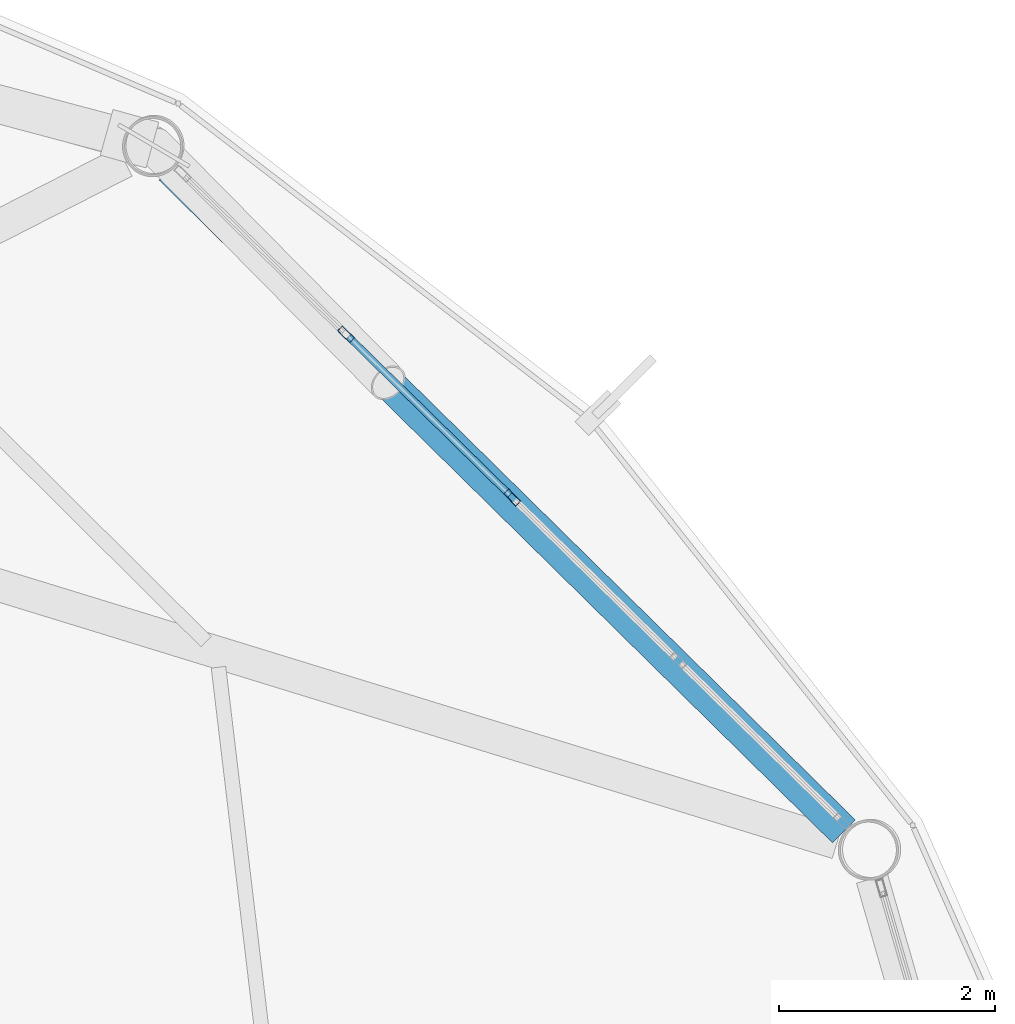
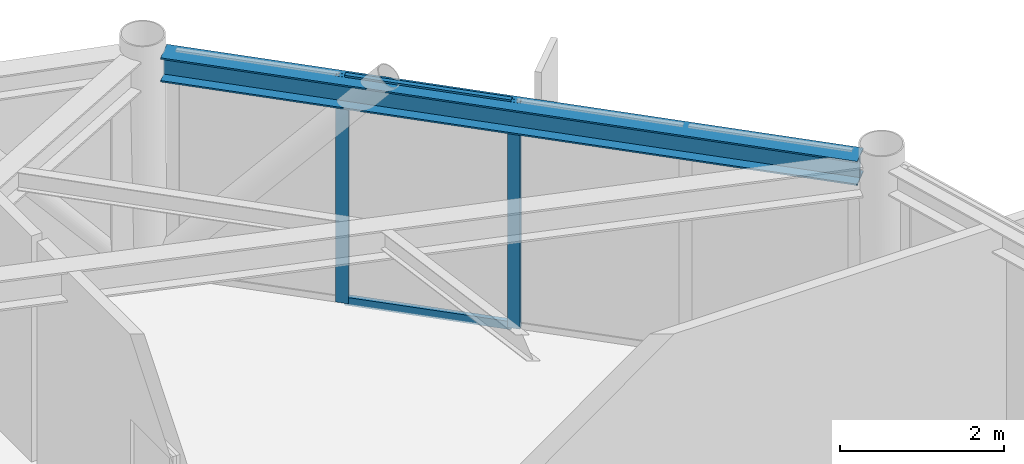
# One storey, part 14 of 25: 4 members, 1 beam, 1 element without a shape of its own.
"""IFC4 building model written with IfcOpenShell, lengths in metres."""

from ifc_helpers import new_model, si_unit, direction, frame, origin, origin_2d, place, context, subcontext, project, spatial, hollow_rectangle, i_section, extrude, material, layer, layer_set, material_profile, profile_set, type_object, element, aggregate, save


model = new_model("IFC4")

# Units and contexts
model_context = context("Model", 3, precision=1e-05, world=origin(), true_north=direction((0.0, 1.0)))
body_context = subcontext(model_context, "Body", "Model", "MODEL_VIEW")
ifc_project = project(units=[si_unit("LENGTHUNIT", "METRE"), si_unit("AREAUNIT", "SQUARE_METRE"), si_unit("VOLUMEUNIT", "CUBIC_METRE"), si_unit("PLANEANGLEUNIT", "RADIAN"), si_unit("MASSUNIT", "GRAM", prefix="KILO")], contexts=[model_context])

# Site, building, storey
site_placement = place(None, origin())
site = spatial("IfcSite", under=ifc_project, at=site_placement, CompositionType="ELEMENT")
building_placement = place(site_placement, origin())
building = spatial("IfcBuilding", under=site, at=building_placement, Name="Varnakorn Sky Granary", CompositionType="ELEMENT")
storey_placement = place(building_placement, frame((0.0, 0.0, 259.800048828125)))
storey = spatial("IfcBuildingStorey", under=building, at=storey_placement, Name="L66", CompositionType="ELEMENT", Elevation=259.800048828125)

# Beam
ifc_material_1 = material(Name="Steel S355JR", Category="steel")
ifc_material_profile_1 = material_profile(ifc_material_1, i_section(OverallWidth=0.300048828125, OverallDepth=0.360107421875, WebThickness=0.012451171875, FlangeThickness=0.0224609375, at=origin_2d()), Name="HE 360 B")
ifc_profile_set_1 = profile_set([ifc_material_profile_1], Name="Steel S355JR")
beam_type = type_object("IfcBeamType", Name="BM-SPD-Z5", PredefinedType="SPANDREL", material=ifc_profile_set_1)
beam_placement = place(storey_placement, frame((20.326904296875, 9.08642578125, 3.179931640625), z_axis=(-0.712727559125, 0.701440964347, 0.0), x_axis=(-0.701440964347, -0.712727559125, 0.0)))
element("IfcBeam", 1, at=beam_placement, inside=storey, type_object=beam_type, Name="Perimeter Spandrel Ring Beam RB02 L66", PredefinedType="SPANDREL", context=body_context, shape_type="SweptSolid", body=[
    extrude(i_section(OverallWidth=0.300048828125, OverallDepth=0.360107421875, WebThickness=0.012451171875, FlangeThickness=0.0224609375, at=origin_2d()), origin(), (0.0, 0.0, 1.0), 8.760498046875),
])

# Curtain wall, members
ifc_material_2 = material(Name="Anodised Bronze Aluminium Alloy 6063-T6", Category="aluminium")
ifc_layer = layer(ifc_material_2, 0.159912109375, Name="Anodised Bronze Aluminium Alloy 6063-T6")
ifc_layer_set = layer_set([ifc_layer], Name="Anodised Bronze Aluminium Alloy 6063-T6")
curtain_wall_type = type_object("IfcCurtainWallType", Name="CW-OFF-1", PredefinedType="USERDEFINED", material=ifc_layer_set)
curtain_wall_placement = place(storey_placement, origin())
curtain_wall = element("IfcCurtainWall", 2, at=curtain_wall_placement, inside=storey, type_object=curtain_wall_type, Name="Unitised Curtain Wall CW6 CW-L66-B02", ObjectType="CURTAIN WALL", PredefinedType="USERDEFINED")
ifc_material_profile_2 = material_profile(ifc_material_2, hollow_rectangle(XDim=0.06494140625, YDim=0.159912109375, WallThickness=0.00341796875, at=origin_2d()), Name="ALU MULL 65x160")
ifc_profile_set_2 = profile_set([ifc_material_profile_2], Name="Anodised Bronze Aluminium Alloy 6063-T6")
member_type_1 = type_object("IfcMemberType", Name="CW-OFF-1-MULL", PredefinedType="MULLION", material=ifc_profile_set_2)
member_1_placement = place(storey_placement, frame((15.711181640625, 13.6953125, 0.0), z_axis=(0.0, 0.0, 1.0), x_axis=(0.700774417108, 0.713382938068, 0.0)))
member_1 = element("IfcMember", 3, at=member_1_placement, type_object=member_type_1, Name="CW6 mullion 2", PredefinedType="MULLION", context=body_context, shape_type="SweptSolid", body=[
    extrude(hollow_rectangle(XDim=0.06494140625, YDim=0.159912109375, WallThickness=0.00341796875, at=origin_2d()), origin(), (0.0, 0.0, 1.0), 3.35986328125),
])
member_2_placement = place(storey_placement, frame((17.25146484375, 12.18212890625, 0.0), z_axis=(0.0, 0.0, 1.0), x_axis=(0.700774417108, 0.713382938068, 0.0)))
member_2 = element("IfcMember", 4, at=member_2_placement, type_object=member_type_1, Name="CW6 mullion 3", PredefinedType="MULLION", context=body_context, shape_type="SweptSolid", body=[
    extrude(hollow_rectangle(XDim=0.06494140625, YDim=0.159912109375, WallThickness=0.00341796875, at=origin_2d()), origin(), (0.0, 0.0, 1.0), 3.35986328125),
])
ifc_material_profile_3 = material_profile(ifc_material_2, hollow_rectangle(XDim=0.06494140625, YDim=0.1201171875, WallThickness=0.00341796875, at=origin_2d()), Name="ALU TRAN 65x120")
ifc_profile_set_3 = profile_set([ifc_material_profile_3], Name="Anodised Bronze Aluminium Alloy 6063-T6")
member_type_2 = type_object("IfcMemberType", Name="CW-OFF-1-TRAN", PredefinedType="USERDEFINED", material=ifc_profile_set_3)
member_3_placement = place(storey_placement, frame((15.734375, 13.672607421875, 0.032470703125), z_axis=(0.713374263044, -0.700783248106, 0.0), x_axis=(0.700783248106, 0.713374263044, 0.0)))
member_3 = element("IfcMember", 5, at=member_3_placement, type_object=member_type_2, Name="CW6 transom 2.1", ObjectType="TRANSOM", PredefinedType="USERDEFINED", context=body_context, shape_type="SweptSolid", body=[
    extrude(hollow_rectangle(XDim=0.06494140625, YDim=0.1201171875, WallThickness=0.00341796875, at=origin_2d()), origin(), (0.0, 0.0, 1.0), 2.09423828125),
])
member_4_placement = place(storey_placement, frame((15.734375, 13.672607421875, 3.327392578125), z_axis=(0.713374263044, -0.700783248106, 0.0), x_axis=(0.700783248106, 0.713374263044, 0.0)))
member_4 = element("IfcMember", 6, at=member_4_placement, type_object=member_type_2, Name="CW6 transom 2.2", ObjectType="TRANSOM", PredefinedType="USERDEFINED", context=body_context, shape_type="SweptSolid", body=[
    extrude(hollow_rectangle(XDim=0.06494140625, YDim=0.1201171875, WallThickness=0.00341796875, at=origin_2d()), origin(), (0.0, 0.0, 1.0), 2.09423828125),
])
aggregate(curtain_wall, [member_1, member_2, member_3, member_4])

save(model, "model.ifc")
